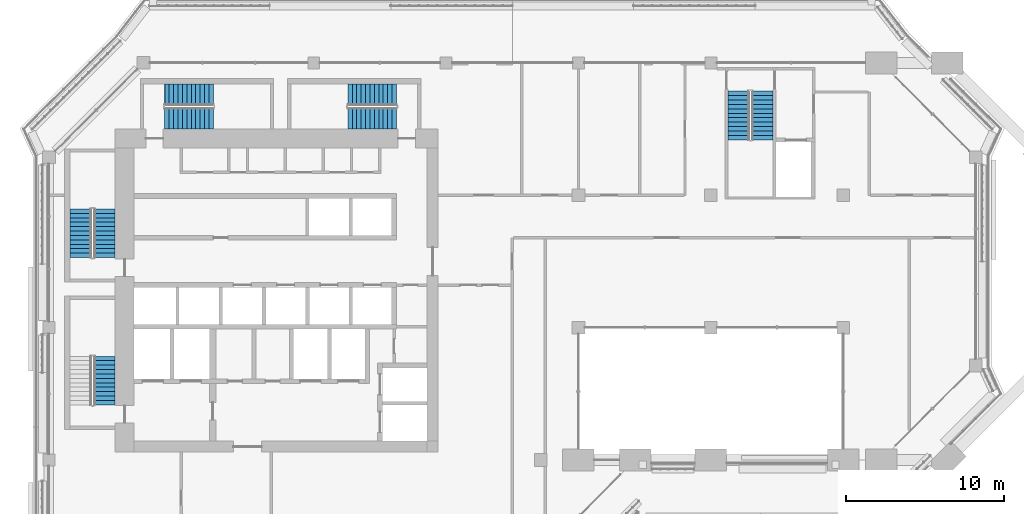
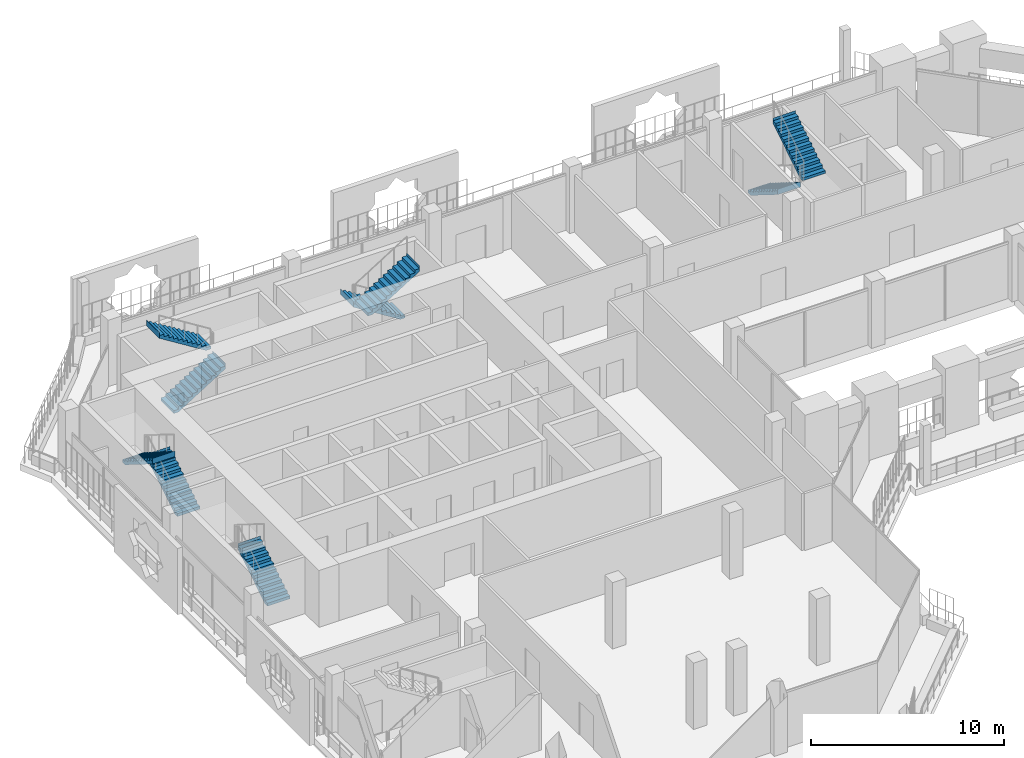
# One storey, part 14 of 23: 9 stair flights, 5 elements without a shape of their own.
"""IFC4 building model written with IfcOpenShell, lengths in metres."""

from ifc_helpers import new_model, si_unit, direction, frame, origin, place, context, subcontext, project, spatial, polyline, outline, extrude, material, type_object, element, aggregate, save


model = new_model("IFC4")

# Units and contexts
model_context = context("Model", 3, precision=1e-05, world=origin(), true_north=direction((0.0, 1.0)))
body_context = subcontext(model_context, "Body", "Model", "MODEL_VIEW")
ifc_project = project(units=[si_unit("LENGTHUNIT", "METRE"), si_unit("AREAUNIT", "SQUARE_METRE"), si_unit("VOLUMEUNIT", "CUBIC_METRE"), si_unit("PLANEANGLEUNIT", "RADIAN"), si_unit("MASSUNIT", "GRAM", prefix="KILO")], contexts=[model_context])

# Site, building, storey
site_placement = place(None, origin())
site = spatial("IfcSite", under=ifc_project, at=site_placement, CompositionType="ELEMENT")
building_placement = place(site_placement, origin())
building = spatial("IfcBuilding", under=site, at=building_placement, Name="Kawkab Arch Medical Tower", CompositionType="ELEMENT")
storey_placement = place(building_placement, frame((0.0, 0.0, 281.800048828125)))
storey = spatial("IfcBuildingStorey", under=building, at=storey_placement, Name="L65", CompositionType="ELEMENT", Elevation=281.800048828125)

# Stair, stair flights
ifc_material_1 = material(Name="Concrete C40/50", Category="concrete")
stair_type = type_object("IfcStairType", Name="Exit stair 1350", PredefinedType="HALF_TURN_STAIR", material=ifc_material_1)
placement = place(storey_placement, origin())
stair_1 = element("IfcStair", 1, at=placement, inside=storey, type_object=stair_type, Name="L65 Exit stair ST1", PredefinedType="HALF_TURN_STAIR")
ifc_material_2 = material(Name="Concrete C40/50", Category="concrete")
stair_flight_type = type_object("IfcStairFlightType", Name="Exit stair flight 1350", PredefinedType="STRAIGHT", material=ifc_material_2)
stair_flight_1_placement = place(storey_placement, frame((3.52490234375, -12.35009765625, 0.0), z_axis=(0.0, 0.0, 1.0), x_axis=(0.0, 1.0, 0.0)))
stair_flight_1 = element("IfcStairFlight", 2, at=stair_flight_1_placement, type_object=stair_flight_type, Name="ST1 flight 1", NumberOfRisers=12, NumberOfTreads=11, PredefinedType="STRAIGHT", RiserHeight=0.175, TreadLength=0.28, context=body_context, shape_type="SweptSolid", body=[
    extrude(outline(polyline([(-0.0029296875, 0.0), (-0.0029296875, 0.175048828125), (0.0, 0.175048828125), (0.280029296875, 0.175048828125), (0.280029296875, 0.35009765625), (0.56005859375, 0.35009765625), (0.56005859375, 0.52490234375), (0.840087890625, 0.52490234375), (0.840087890625, 0.699951171875), (1.1201171875, 0.699951171875), (1.1201171875, 0.875), (1.39990234375, 0.875), (1.39990234375, 1.050048828125), (1.679931640625, 1.050048828125), (1.679931640625, 1.22509765625), (1.9599609375, 1.22509765625), (1.9599609375, 1.39990234375), (2.239990234375, 1.39990234375), (2.239990234375, 1.574951171875), (2.52001953125, 1.574951171875), (2.52001953125, 1.75), (2.800048828125, 1.75), (2.800048828125, 1.925048828125), (3.080078125, 1.925048828125), (3.080078125, 2.10009765625), (3.0830078125, 2.10009765625), (3.0830078125, 1.748291015625), (3.080078125, 1.748291015625), (0.28271484375, 0.0), (-0.0029296875, 0.0)])), frame((0.0, 0.675048828125, 0.0), z_axis=(0.0, -1.0, 0.0), x_axis=(1.0, 0.0, 0.0)), (0.0, 0.0, 1.0), 1.35009765625),
])
stair_flight_2_placement = place(storey_placement, frame((2.02490234375, -9.27001953125, 2.099853515625), z_axis=(0.0, 0.0, 1.0), x_axis=(0.0, -1.0, 0.0)))
stair_flight_2 = element("IfcStairFlight", 3, at=stair_flight_2_placement, type_object=stair_flight_type, Name="ST1 flight 2", NumberOfRisers=12, NumberOfTreads=11, PredefinedType="STRAIGHT", RiserHeight=0.175, TreadLength=0.28, context=body_context, shape_type="SweptSolid", body=[
    extrude(outline(polyline([(-0.0029296875, 0.0), (-0.0029296875, 0.175048828125), (0.0, 0.175048828125), (0.280029296875, 0.175048828125), (0.280029296875, 0.35009765625), (0.56005859375, 0.35009765625), (0.56005859375, 0.52490234375), (0.840087890625, 0.52490234375), (0.840087890625, 0.699951171875), (1.1201171875, 0.699951171875), (1.1201171875, 0.875), (1.39990234375, 0.875), (1.39990234375, 1.050048828125), (1.679931640625, 1.050048828125), (1.679931640625, 1.22509765625), (1.9599609375, 1.22509765625), (1.9599609375, 1.39990234375), (2.239990234375, 1.39990234375), (2.239990234375, 1.574951171875), (2.52001953125, 1.574951171875), (2.52001953125, 1.75), (2.800048828125, 1.75), (2.800048828125, 1.925048828125), (3.080078125, 1.925048828125), (3.080078125, 2.10009765625), (3.0830078125, 2.10009765625), (3.0830078125, 1.748291015625), (3.080078125, 1.748291015625), (0.28271484375, 0.0), (-0.0029296875, 0.0)])), frame((0.0, 0.675048828125, 0.0), z_axis=(0.0, -1.0, 0.0), x_axis=(1.0, 0.0, 0.0)), (0.0, 0.0, 1.0), 1.35009765625),
])
aggregate(stair_1, [stair_flight_1, stair_flight_2])

# Stair, stair flight
stair_2 = element("IfcStair", 4, at=placement, inside=storey, type_object=stair_type, Name="L65 Exit stair ST2", PredefinedType="HALF_TURN_STAIR")
stair_flight_3_placement = place(storey_placement, frame((3.52490234375, -21.699951171875, 0.0), z_axis=(0.0, 0.0, 1.0), x_axis=(0.0, 1.0, 0.0)))
stair_flight_3 = element("IfcStairFlight", 5, at=stair_flight_3_placement, type_object=stair_flight_type, Name="ST2 flight 1", NumberOfRisers=12, NumberOfTreads=11, PredefinedType="STRAIGHT", RiserHeight=0.175, TreadLength=0.28, context=body_context, shape_type="SweptSolid", body=[
    extrude(outline(polyline([(-0.0029296875, 0.0), (-0.0029296875, 0.175048828125), (0.0, 0.175048828125), (0.280029296875, 0.175048828125), (0.280029296875, 0.35009765625), (0.56005859375, 0.35009765625), (0.56005859375, 0.52490234375), (0.840087890625, 0.52490234375), (0.840087890625, 0.699951171875), (1.1201171875, 0.699951171875), (1.1201171875, 0.875), (1.39990234375, 0.875), (1.39990234375, 1.050048828125), (1.679931640625, 1.050048828125), (1.679931640625, 1.22509765625), (1.9599609375, 1.22509765625), (1.9599609375, 1.39990234375), (2.239990234375, 1.39990234375), (2.239990234375, 1.574951171875), (2.52001953125, 1.574951171875), (2.52001953125, 1.75), (2.800048828125, 1.75), (2.800048828125, 1.925048828125), (3.080078125, 1.925048828125), (3.080078125, 2.10009765625), (3.0830078125, 2.10009765625), (3.0830078125, 1.748291015625), (3.080078125, 1.748291015625), (0.28271484375, 0.0), (-0.0029296875, 0.0)])), frame((0.0, 0.675048828125, 0.0), z_axis=(0.0, -1.0, 0.0), x_axis=(1.0, 0.0, 0.0)), (0.0, 0.0, 1.0), 1.35009765625),
])
aggregate(stair_2, [stair_flight_3])

# Stair, stair flights
stair_3 = element("IfcStair", 6, at=placement, inside=storey, type_object=stair_type, Name="L65 Exit stair ST3", PredefinedType="HALF_TURN_STAIR")
stair_flight_4_placement = place(storey_placement, frame((7.35009765625, -3.52490234375, 0.0), z_axis=(0.0, 0.0, 1.0), x_axis=(1.0, 0.0, 0.0)))
stair_flight_4 = element("IfcStairFlight", 7, at=stair_flight_4_placement, type_object=stair_flight_type, Name="ST3 flight 1", NumberOfRisers=12, NumberOfTreads=11, PredefinedType="STRAIGHT", RiserHeight=0.175, TreadLength=0.28, context=body_context, shape_type="SweptSolid", body=[
    extrude(outline(polyline([(-0.0029296875, 0.0), (-0.0029296875, 0.175048828125), (0.0, 0.175048828125), (0.280029296875, 0.175048828125), (0.280029296875, 0.35009765625), (0.56005859375, 0.35009765625), (0.56005859375, 0.52490234375), (0.840087890625, 0.52490234375), (0.840087890625, 0.699951171875), (1.1201171875, 0.699951171875), (1.1201171875, 0.875), (1.39990234375, 0.875), (1.39990234375, 1.050048828125), (1.679931640625, 1.050048828125), (1.679931640625, 1.22509765625), (1.9599609375, 1.22509765625), (1.9599609375, 1.39990234375), (2.239990234375, 1.39990234375), (2.239990234375, 1.574951171875), (2.52001953125, 1.574951171875), (2.52001953125, 1.75), (2.800048828125, 1.75), (2.800048828125, 1.925048828125), (3.080078125, 1.925048828125), (3.080078125, 2.10009765625), (3.0830078125, 2.10009765625), (3.0830078125, 1.748291015625), (3.080078125, 1.748291015625), (0.28271484375, 0.0), (-0.0029296875, 0.0)])), frame((0.0, 0.675048828125, 0.0), z_axis=(0.0, -1.0, 0.0), x_axis=(1.0, 0.0, 0.0)), (0.0, 0.0, 1.0), 1.35009765625),
])
stair_flight_5_placement = place(storey_placement, frame((10.429931640625, -2.02490234375, 2.099853515625), z_axis=(0.0, 0.0, 1.0), x_axis=(-1.0, 0.0, 0.0)))
stair_flight_5 = element("IfcStairFlight", 8, at=stair_flight_5_placement, type_object=stair_flight_type, Name="ST3 flight 2", NumberOfRisers=12, NumberOfTreads=11, PredefinedType="STRAIGHT", RiserHeight=0.175, TreadLength=0.28, context=body_context, shape_type="SweptSolid", body=[
    extrude(outline(polyline([(-0.0029296875, 0.0), (-0.0029296875, 0.175048828125), (0.0, 0.175048828125), (0.280029296875, 0.175048828125), (0.280029296875, 0.35009765625), (0.56005859375, 0.35009765625), (0.56005859375, 0.52490234375), (0.840087890625, 0.52490234375), (0.840087890625, 0.699951171875), (1.1201171875, 0.699951171875), (1.1201171875, 0.875), (1.39990234375, 0.875), (1.39990234375, 1.050048828125), (1.679931640625, 1.050048828125), (1.679931640625, 1.22509765625), (1.9599609375, 1.22509765625), (1.9599609375, 1.39990234375), (2.239990234375, 1.39990234375), (2.239990234375, 1.574951171875), (2.52001953125, 1.574951171875), (2.52001953125, 1.75), (2.800048828125, 1.75), (2.800048828125, 1.925048828125), (3.080078125, 1.925048828125), (3.080078125, 2.10009765625), (3.0830078125, 2.10009765625), (3.0830078125, 1.748291015625), (3.080078125, 1.748291015625), (0.28271484375, 0.0), (-0.0029296875, 0.0)])), frame((0.0, 0.675048828125, 0.0), z_axis=(0.0, -1.0, 0.0), x_axis=(1.0, 0.0, 0.0)), (0.0, 0.0, 1.0), 1.35009765625),
])
aggregate(stair_3, [stair_flight_4, stair_flight_5])

stair_4 = element("IfcStair", 9, at=placement, inside=storey, type_object=stair_type, Name="L65 Exit stair ST4", PredefinedType="HALF_TURN_STAIR")
stair_flight_6_placement = place(storey_placement, frame((22.050048828125, -2.02490234375, 0.0), z_axis=(0.0, 0.0, 1.0), x_axis=(-1.0, 0.0, 0.0)))
stair_flight_6 = element("IfcStairFlight", 10, at=stair_flight_6_placement, type_object=stair_flight_type, Name="ST4 flight 1", NumberOfRisers=12, NumberOfTreads=11, PredefinedType="STRAIGHT", RiserHeight=0.175, TreadLength=0.28, context=body_context, shape_type="SweptSolid", body=[
    extrude(outline(polyline([(-0.0029296875, 0.0), (-0.0029296875, 0.175048828125), (0.0, 0.175048828125), (0.280029296875, 0.175048828125), (0.280029296875, 0.35009765625), (0.56005859375, 0.35009765625), (0.56005859375, 0.52490234375), (0.840087890625, 0.52490234375), (0.840087890625, 0.699951171875), (1.1201171875, 0.699951171875), (1.1201171875, 0.875), (1.39990234375, 0.875), (1.39990234375, 1.050048828125), (1.679931640625, 1.050048828125), (1.679931640625, 1.22509765625), (1.9599609375, 1.22509765625), (1.9599609375, 1.39990234375), (2.239990234375, 1.39990234375), (2.239990234375, 1.574951171875), (2.52001953125, 1.574951171875), (2.52001953125, 1.75), (2.800048828125, 1.75), (2.800048828125, 1.925048828125), (3.080078125, 1.925048828125), (3.080078125, 2.10009765625), (3.0830078125, 2.10009765625), (3.0830078125, 1.748291015625), (3.080078125, 1.748291015625), (0.28271484375, 0.0), (-0.0029296875, 0.0)])), frame((0.0, 0.675048828125, 0.0), z_axis=(0.0, -1.0, 0.0), x_axis=(1.0, 0.0, 0.0)), (0.0, 0.0, 1.0), 1.35009765625),
])
stair_flight_7_placement = place(storey_placement, frame((18.969970703125, -3.52490234375, 2.099853515625), z_axis=(0.0, 0.0, 1.0), x_axis=(1.0, 0.0, 0.0)))
stair_flight_7 = element("IfcStairFlight", 11, at=stair_flight_7_placement, type_object=stair_flight_type, Name="ST4 flight 2", NumberOfRisers=12, NumberOfTreads=11, PredefinedType="STRAIGHT", RiserHeight=0.175, TreadLength=0.28, context=body_context, shape_type="SweptSolid", body=[
    extrude(outline(polyline([(-0.0029296875, 0.0), (-0.0029296875, 0.175048828125), (0.0, 0.175048828125), (0.280029296875, 0.175048828125), (0.280029296875, 0.35009765625), (0.56005859375, 0.35009765625), (0.56005859375, 0.52490234375), (0.840087890625, 0.52490234375), (0.840087890625, 0.699951171875), (1.1201171875, 0.699951171875), (1.1201171875, 0.875), (1.39990234375, 0.875), (1.39990234375, 1.050048828125), (1.679931640625, 1.050048828125), (1.679931640625, 1.22509765625), (1.9599609375, 1.22509765625), (1.9599609375, 1.39990234375), (2.239990234375, 1.39990234375), (2.239990234375, 1.574951171875), (2.52001953125, 1.574951171875), (2.52001953125, 1.75), (2.800048828125, 1.75), (2.800048828125, 1.925048828125), (3.080078125, 1.925048828125), (3.080078125, 2.10009765625), (3.0830078125, 2.10009765625), (3.0830078125, 1.748291015625), (3.080078125, 1.748291015625), (0.28271484375, 0.0), (-0.0029296875, 0.0)])), frame((0.0, 0.675048828125, 0.0), z_axis=(0.0, -1.0, 0.0), x_axis=(1.0, 0.0, 0.0)), (0.0, 0.0, 1.0), 1.35009765625),
])
aggregate(stair_4, [stair_flight_6, stair_flight_7])

stair_5 = element("IfcStair", 12, at=placement, inside=storey, type_object=stair_type, Name="L65 Exit stair ST5", PredefinedType="HALF_TURN_STAIR")
stair_flight_8_placement = place(storey_placement, frame((43.77490234375, -1.800048828125, 0.0), z_axis=(0.0, 0.0, 1.0), x_axis=(0.0, -1.0, 0.0)))
stair_flight_8 = element("IfcStairFlight", 13, at=stair_flight_8_placement, type_object=stair_flight_type, Name="ST5 flight 1", NumberOfRisers=12, NumberOfTreads=11, PredefinedType="STRAIGHT", RiserHeight=0.175, TreadLength=0.28, context=body_context, shape_type="SweptSolid", body=[
    extrude(outline(polyline([(-0.0029296875, 0.0), (-0.0029296875, 0.175048828125), (0.0, 0.175048828125), (0.280029296875, 0.175048828125), (0.280029296875, 0.35009765625), (0.56005859375, 0.35009765625), (0.56005859375, 0.52490234375), (0.840087890625, 0.52490234375), (0.840087890625, 0.699951171875), (1.1201171875, 0.699951171875), (1.1201171875, 0.875), (1.39990234375, 0.875), (1.39990234375, 1.050048828125), (1.679931640625, 1.050048828125), (1.679931640625, 1.22509765625), (1.9599609375, 1.22509765625), (1.9599609375, 1.39990234375), (2.239990234375, 1.39990234375), (2.239990234375, 1.574951171875), (2.52001953125, 1.574951171875), (2.52001953125, 1.75), (2.800048828125, 1.75), (2.800048828125, 1.925048828125), (3.080078125, 1.925048828125), (3.080078125, 2.10009765625), (3.0830078125, 2.10009765625), (3.0830078125, 1.748291015625), (3.080078125, 1.748291015625), (0.28271484375, 0.0), (-0.0029296875, 0.0)])), frame((0.0, 0.675048828125, 0.0), z_axis=(0.0, -1.0, 0.0), x_axis=(1.0, 0.0, 0.0)), (0.0, 0.0, 1.0), 1.35009765625),
])
stair_flight_9_placement = place(storey_placement, frame((45.27490234375, -4.8798828125, 2.099853515625), z_axis=(0.0, 0.0, 1.0), x_axis=(0.0, 1.0, 0.0)))
stair_flight_9 = element("IfcStairFlight", 14, at=stair_flight_9_placement, type_object=stair_flight_type, Name="ST5 flight 2", NumberOfRisers=12, NumberOfTreads=11, PredefinedType="STRAIGHT", RiserHeight=0.175, TreadLength=0.28, context=body_context, shape_type="SweptSolid", body=[
    extrude(outline(polyline([(-0.0029296875, 0.0), (-0.0029296875, 0.175048828125), (0.0, 0.175048828125), (0.280029296875, 0.175048828125), (0.280029296875, 0.35009765625), (0.56005859375, 0.35009765625), (0.56005859375, 0.52490234375), (0.840087890625, 0.52490234375), (0.840087890625, 0.699951171875), (1.1201171875, 0.699951171875), (1.1201171875, 0.875), (1.39990234375, 0.875), (1.39990234375, 1.050048828125), (1.679931640625, 1.050048828125), (1.679931640625, 1.22509765625), (1.9599609375, 1.22509765625), (1.9599609375, 1.39990234375), (2.239990234375, 1.39990234375), (2.239990234375, 1.574951171875), (2.52001953125, 1.574951171875), (2.52001953125, 1.75), (2.800048828125, 1.75), (2.800048828125, 1.925048828125), (3.080078125, 1.925048828125), (3.080078125, 2.10009765625), (3.0830078125, 2.10009765625), (3.0830078125, 1.748291015625), (3.080078125, 1.748291015625), (0.28271484375, 0.0), (-0.0029296875, 0.0)])), frame((0.0, 0.675048828125, 0.0), z_axis=(0.0, -1.0, 0.0), x_axis=(1.0, 0.0, 0.0)), (0.0, 0.0, 1.0), 1.35009765625),
])
aggregate(stair_5, [stair_flight_8, stair_flight_9])

save(model, "model.ifc")
